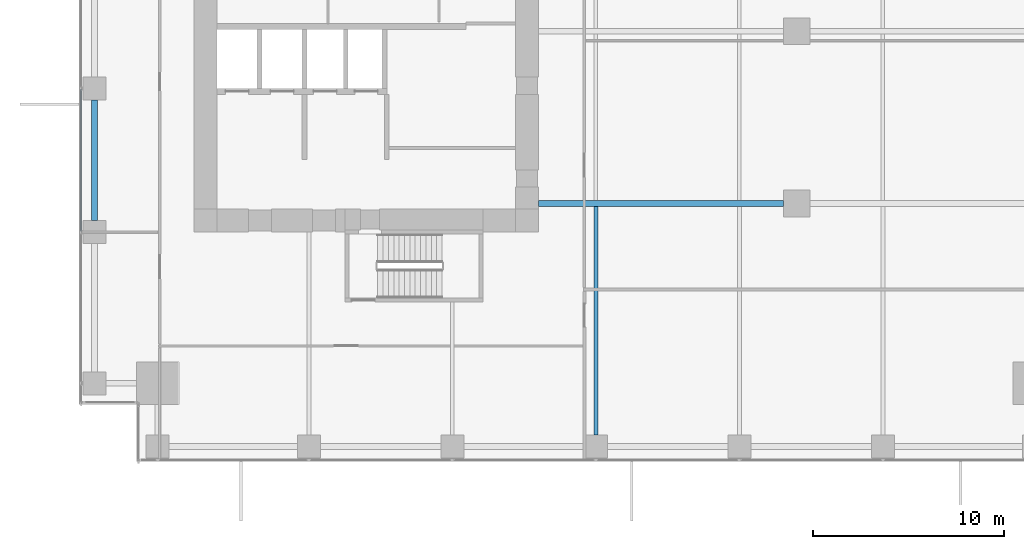
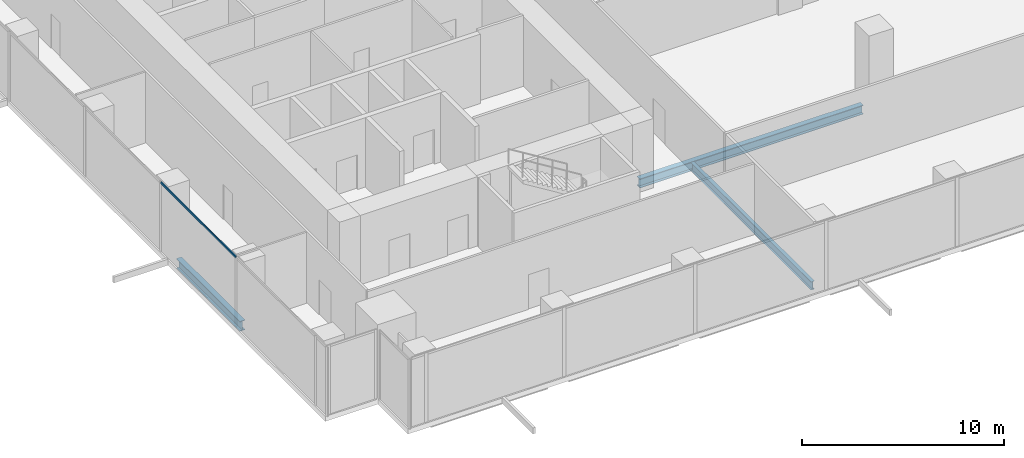
# One storey, part 4 of 33: 3 beams, 1 member, 1 element without a shape of its own.
"""IFC4 building model written with IfcOpenShell, lengths in metres."""

from ifc_helpers import new_model, si_unit, direction, frame, origin, origin_2d, place, context, subcontext, project, spatial, hollow_rectangle, i_section, extrude, source, transform, mapped, material, material_profile, profile_set, type_object, element, aggregate, save


model = new_model("IFC4")

# Units and contexts
model_context = context("Model", 3, precision=1e-05, world=origin(), true_north=direction((0.0, 1.0)))
body_context = subcontext(model_context, "Body", "Model", "MODEL_VIEW")
ifc_project = project(units=[si_unit("LENGTHUNIT", "METRE"), si_unit("AREAUNIT", "SQUARE_METRE"), si_unit("VOLUMEUNIT", "CUBIC_METRE"), si_unit("PLANEANGLEUNIT", "RADIAN"), si_unit("MASSUNIT", "GRAM", prefix="KILO")], contexts=[model_context])

# Site, building, storey
site_placement = place(None, origin())
site = spatial("IfcSite", under=ifc_project, at=site_placement, CompositionType="ELEMENT")
building_placement = place(site_placement, origin())
building = spatial("IfcBuilding", under=site, at=building_placement, Name="Khomas Fold Tower", CompositionType="ELEMENT")
storey_placement = place(building_placement, frame((0.0, 0.0, 82.5)))
storey = spatial("IfcBuildingStorey", under=building, at=storey_placement, Name="L17", CompositionType="ELEMENT", Elevation=82.5)

# Beams
ifc_material_1 = material(Name="Steel S355", Category="steel")
ifc_material_profile_1 = material_profile(ifc_material_1, i_section(OverallWidth=0.300048828125, OverallDepth=0.550048828125, WebThickness=0.014892578125, FlangeThickness=0.029052734375, at=origin_2d()), Name="HE 550 B")
ifc_profile_set_1 = profile_set([ifc_material_profile_1], Name="Steel S355")
beam_type_1 = type_object("IfcBeamType", Name="HE 550 B beam GB4", PredefinedType="BEAM", material=ifc_profile_set_1)
shared_shape_1 = source(origin(), body_context, "Body", "SweptSolid", [
    extrude(i_section(OverallWidth=0.300048828125, OverallDepth=0.550048828125, WebThickness=0.014892578125, FlangeThickness=0.029052734375, at=origin_2d()), origin(), (0.0, 0.0, 1.0), 12.800048828125),
])
beam_1_placement = place(storey_placement, frame((24.0, 13.5, -0.574951171875), z_axis=(1.0, 0.0, 0.0), x_axis=(0.0, 1.0, 0.0)))
element("IfcBeam", 1, at=beam_1_placement, inside=storey, type_object=beam_type_1, Name="GB4", PredefinedType="BEAM", context=body_context, shape_type="MappedRepresentation", body=[
    mapped(shared_shape_1, transform((0.0, 0.0, 0.0))),
])
ifc_material_2 = material(Name="Steel S355", Category="steel")
ifc_material_profile_2 = material_profile(ifc_material_2, i_section(OverallWidth=0.300048828125, OverallDepth=0.60009765625, WebThickness=0.015380859375, FlangeThickness=0.030029296875, at=origin_2d()), Name="HE 600 B")
ifc_profile_set_2 = profile_set([ifc_material_profile_2], Name="Steel S355")
beam_type_2 = type_object("IfcBeamType", Name="HE 600 B spandrel SB1", PredefinedType="SPANDREL", material=ifc_profile_set_2)
shared_shape_2 = source(origin(), body_context, "Body", "SweptSolid", [
    extrude(i_section(OverallWidth=0.300048828125, OverallDepth=0.60009765625, WebThickness=0.015380859375, FlangeThickness=0.030029296875, at=origin_2d()), origin(), (0.0, 0.0, 1.0), 6.2998046875),
])
beam_2_placement = place(storey_placement, frame((0.800048828125, 12.60009765625, -0.60009765625), z_axis=(0.0, 1.0, 0.0), x_axis=(-1.0, 0.0, 0.0)))
element("IfcBeam", 2, at=beam_2_placement, inside=storey, type_object=beam_type_2, Name="SB1", PredefinedType="SPANDREL", context=body_context, shape_type="MappedRepresentation", body=[
    mapped(shared_shape_2, transform((0.0, 0.0, 0.0))),
])
ifc_material_3 = material(Name="Steel S355", Category="steel")
ifc_material_profile_3 = material_profile(ifc_material_3, i_section(OverallWidth=0.199951171875, OverallDepth=0.5, WebThickness=0.01025390625, FlangeThickness=0.01611328125, at=origin_2d()), Name="IPE 500")
ifc_profile_set_3 = profile_set([ifc_material_profile_3], Name="Steel S355")
beam_type_3 = type_object("IfcBeamType", Name="IPE 500 beam JB5", PredefinedType="BEAM", material=ifc_profile_set_3)
shared_shape_3 = source(origin(), body_context, "Body", "SweptSolid", [
    extrude(i_section(OverallWidth=0.199951171875, OverallDepth=0.5, WebThickness=0.01025390625, FlangeThickness=0.01611328125, at=origin_2d()), origin(), (0.0, 0.0, 1.0), 11.9501953125),
])
beam_3_placement = place(storey_placement, frame((27.0, 1.39990234375, -0.550048828125), z_axis=(0.0, 1.0, 0.0), x_axis=(-1.0, 0.0, 0.0)))
element("IfcBeam", 3, at=beam_3_placement, inside=storey, type_object=beam_type_3, Name="JB5", PredefinedType="BEAM", context=body_context, shape_type="MappedRepresentation", body=[
    mapped(shared_shape_3, transform((0.0, 0.0, 0.0))),
])

# Curtain wall, member
ifc_material_4 = material(Name="Aluminium framed double glazing", Category="aluminium")
curtain_wall_type = type_object("IfcCurtainWallType", Name="SK-Unitised clear-glass wall, growing floors CW1", PredefinedType="NOTDEFINED", material=ifc_material_4)
curtain_wall_placement = place(storey_placement, origin())
curtain_wall = element("IfcCurtainWall", 4, at=curtain_wall_placement, inside=storey, type_object=curtain_wall_type, Name="CW1 run L17 09-0", PredefinedType="NOTDEFINED")
ifc_material_5 = material(Name="Aluminium", Category="aluminium")
ifc_material_profile_4 = material_profile(ifc_material_5, hollow_rectangle(XDim=0.06005859375, YDim=0.1201171875, WallThickness=0.00390625, at=origin_2d()), Name="SK-Unitised clear-glass wall, growing floors transom CW1-T")
ifc_profile_set_4 = profile_set([ifc_material_profile_4], Name="Aluminium")
member_type = type_object("IfcMemberType", Name="SK-Unitised clear-glass wall, growing floors transom CW1-T", PredefinedType="USERDEFINED", material=ifc_profile_set_4)
shared_shape_4 = source(origin(), body_context, "Body", "SweptSolid", [
    extrude(hollow_rectangle(XDim=0.06005859375, YDim=0.1201171875, WallThickness=0.00390625, at=origin_2d()), origin(), (0.0, 0.0, 1.0), 7.43994140625),
])
member_placement = place(storey_placement, frame((0.10009765625, 19.469970703125, 4.139892578125), z_axis=(0.0, -1.0, 0.0), x_axis=(1.0, 0.0, 0.0)))
member = element("IfcMember", 5, at=member_placement, type_object=member_type, Name="CW1 transom 6", ObjectType="TRANSOM", PredefinedType="USERDEFINED", context=body_context, shape_type="MappedRepresentation", body=[
    mapped(shared_shape_4, transform((0.0, 0.0, 0.0))),
])
aggregate(curtain_wall, [member])

save(model, "model.ifc")
